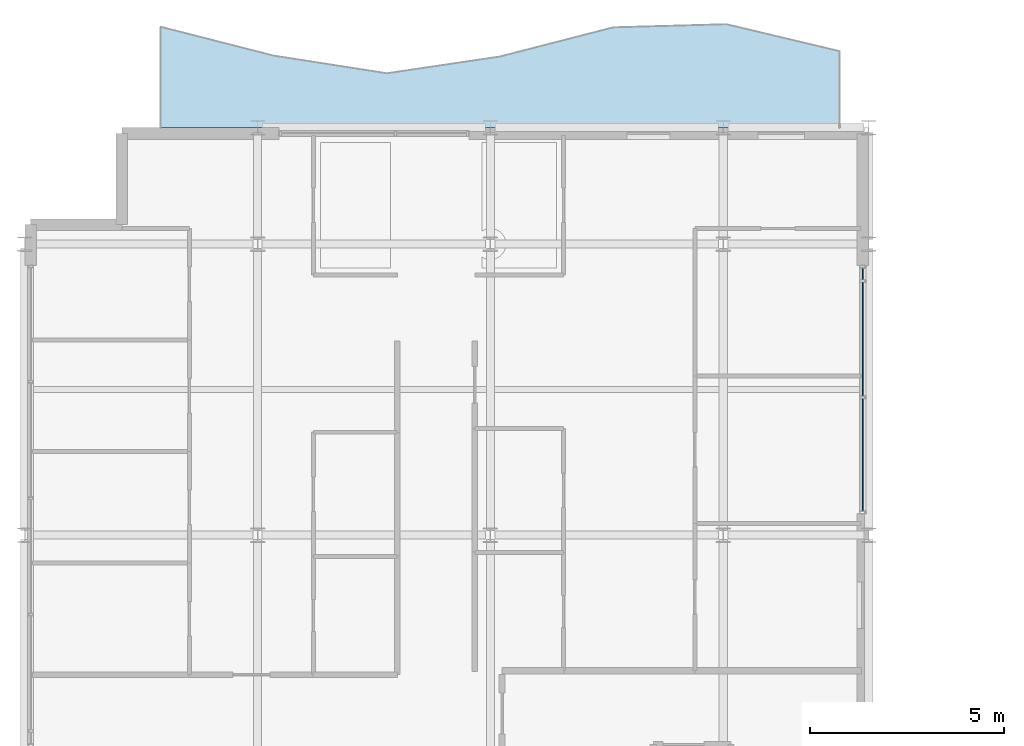
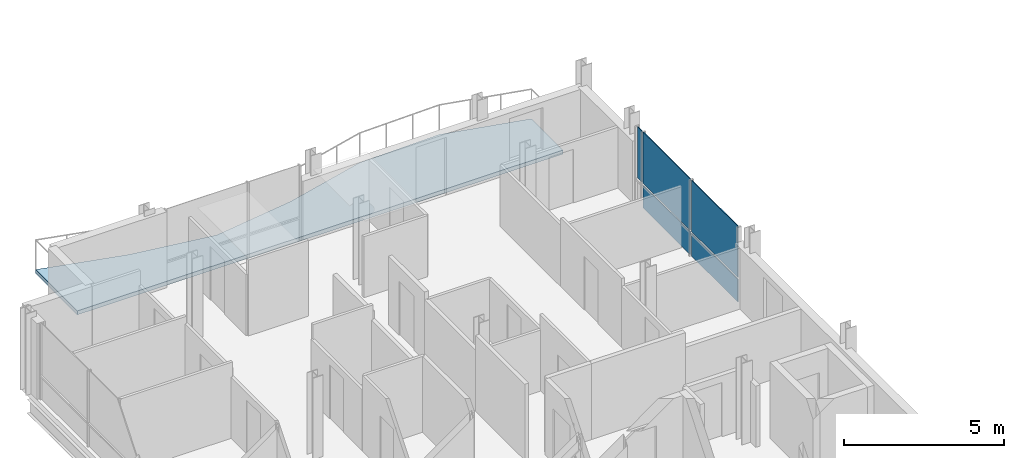
# One storey, part 18 of 29: 5 plates, 1 slab, 1 element without a shape of its own.
"""IFC4 building model written with IfcOpenShell, lengths in metres."""

from ifc_helpers import new_model, si_unit, direction, frame, origin, origin_2d, place, context, subcontext, project, spatial, polyline, rectangle, outline, extrude, material, layer, layer_set, type_object, element, aggregate, save


model = new_model("IFC4")

# Units and contexts
model_context = context("Model", 3, precision=1e-05, world=origin(), true_north=direction((0.0, 1.0)))
body_context = subcontext(model_context, "Body", "Model", "MODEL_VIEW")
ifc_project = project(units=[si_unit("LENGTHUNIT", "METRE"), si_unit("AREAUNIT", "SQUARE_METRE"), si_unit("VOLUMEUNIT", "CUBIC_METRE"), si_unit("PLANEANGLEUNIT", "RADIAN"), si_unit("MASSUNIT", "GRAM", prefix="KILO")], contexts=[model_context])

# Site, building, storey
site_placement = place(None, origin())
site = spatial("IfcSite", under=ifc_project, at=site_placement, CompositionType="ELEMENT")
building_placement = place(site_placement, origin())
building = spatial("IfcBuilding", under=site, at=building_placement, Name="Brevholm Reach", CompositionType="ELEMENT")
storey_placement = place(building_placement, frame((0.0, 0.0, 208.0)))
storey = spatial("IfcBuildingStorey", under=building, at=storey_placement, Name="L63", CompositionType="ELEMENT", Elevation=208.0)

# Curtain wall, plates
ifc_material_1 = material(Name="Dark Anodised Aluminium 6063-T6 and Solar-Control Glass", Category="aluminium")
ifc_layer_1 = layer(ifc_material_1, 0.1650390625)
ifc_layer_set_1 = layer_set([ifc_layer_1], Name="Dark Anodised Aluminium 6063-T6 and Solar-Control Glass")
curtain_wall_type = type_object("IfcCurtainWallType", Name="CW-04", PredefinedType="NOTDEFINED", material=ifc_layer_set_1)
curtain_wall_placement = place(storey_placement, origin())
curtain_wall = element("IfcCurtainWall", 1, at=curtain_wall_placement, inside=storey, type_object=curtain_wall_type, Name="L63 Curtain Wall CW-04", PredefinedType="NOTDEFINED")
ifc_material_2 = material(Name="Dark Solar-Control Double-Glazed IGU Glass", Category="glass")
ifc_layer_2 = layer(ifc_material_2, 0.028076171875)
ifc_layer_set_2 = layer_set([ifc_layer_2], Name="Dark Solar-Control Double-Glazed IGU Glass")
plate_type = type_object("IfcPlateType", Name="CWP-GLZ-28", PredefinedType="CURTAIN_PANEL", material=ifc_layer_set_2)
plate_1_placement = place(storey_placement, frame((21.60009765625, 18.0673828125, 0.0), z_axis=(0.0, 0.0, 1.0), x_axis=(0.0, 1.0, 0.0)))
plate_1 = element("IfcPlate", 2, at=plate_1_placement, type_object=plate_type, Name="CP-01 Glazing Panel 1.1", PredefinedType="CURTAIN_PANEL", context=body_context, shape_type="SweptSolid", body=[
    extrude(rectangle(XDim=2.89501953125, YDim=0.028076171875, at=origin_2d()), origin(), (0.0, 0.0, 1.0), 0.864990234375),
])
plate_2_placement = place(storey_placement, frame((21.60009765625, 18.0673828125, 0.93505859375), z_axis=(0.0, 0.0, 1.0), x_axis=(0.0, 1.0, 0.0)))
plate_2 = element("IfcPlate", 3, at=plate_2_placement, type_object=plate_type, Name="CP-01 Glazing Panel 1.2", PredefinedType="CURTAIN_PANEL", context=body_context, shape_type="SweptSolid", body=[
    extrude(rectangle(XDim=2.89501953125, YDim=0.028076171875, at=origin_2d()), origin(), (0.0, 0.0, 1.0), 1.955078125),
])
plate_3_placement = place(storey_placement, frame((21.60009765625, 21.050048828125, 0.0), z_axis=(0.0, 0.0, 1.0), x_axis=(0.0, 1.0, 0.0)))
plate_3 = element("IfcPlate", 4, at=plate_3_placement, type_object=plate_type, Name="CP-01 Glazing Panel 2.1", PredefinedType="CURTAIN_PANEL", context=body_context, shape_type="SweptSolid", body=[
    extrude(rectangle(XDim=2.929931640625, YDim=0.028076171875, at=origin_2d()), origin(), (0.0, 0.0, 1.0), 0.864990234375),
])
plate_4_placement = place(storey_placement, frame((21.60009765625, 21.050048828125, 0.93505859375), z_axis=(0.0, 0.0, 1.0), x_axis=(0.0, 1.0, 0.0)))
plate_4 = element("IfcPlate", 5, at=plate_4_placement, type_object=plate_type, Name="CP-01 Glazing Panel 2.2", PredefinedType="CURTAIN_PANEL", context=body_context, shape_type="SweptSolid", body=[
    extrude(rectangle(XDim=2.929931640625, YDim=0.028076171875, at=origin_2d()), origin(), (0.0, 0.0, 1.0), 1.955078125),
])
plate_5_placement = place(storey_placement, frame((21.60009765625, 22.732421875, 0.93505859375), z_axis=(0.0, 0.0, 1.0), x_axis=(0.0, 1.0, 0.0)))
plate_5 = element("IfcPlate", 6, at=plate_5_placement, type_object=plate_type, Name="CP-01 Glazing Panel 3.2", PredefinedType="CURTAIN_PANEL", context=body_context, shape_type="SweptSolid", body=[
    extrude(rectangle(XDim=0.294921875, YDim=0.028076171875, at=origin_2d()), origin(), (0.0, 0.0, 1.0), 1.955078125),
])
aggregate(curtain_wall, [plate_1, plate_2, plate_3, plate_4, plate_5])

# Slab
ifc_material_3 = material(Name="Precast Concrete C45/55", Category="concrete")
ifc_layer_3 = layer(ifc_material_3, 0.14990234375)
ifc_layer_set_3 = layer_set([ifc_layer_3], Name="Precast Concrete C45/55")
slab_type = type_object("IfcSlabType", Name="SLB-BAL-150", PredefinedType="FLOOR", material=ifc_layer_set_3)
slab_placement = place(storey_placement, frame((0.0, 0.0, -0.14990234375)))
element("IfcSlab", 7, at=slab_placement, inside=storey, type_object=slab_type, Name="L63 Rippling External Balcony NW", PredefinedType="FLOOR", context=body_context, shape_type="SweptSolid", body=[
    extrude(outline(polyline([(3.5, 26.5), (21.0, 26.5), (21.0, 28.469482421875), (18.083251953125, 29.165283203125), (15.166748046875, 29.08447265625), (12.25, 28.3330078125), (9.333251953125, 27.900146484375), (6.416748046875, 28.355224609375), (3.5, 29.099609375), (3.5, 26.5)])), origin(), (0.0, 0.0, 1.0), 0.14990234375),
])

save(model, "model.ifc")
